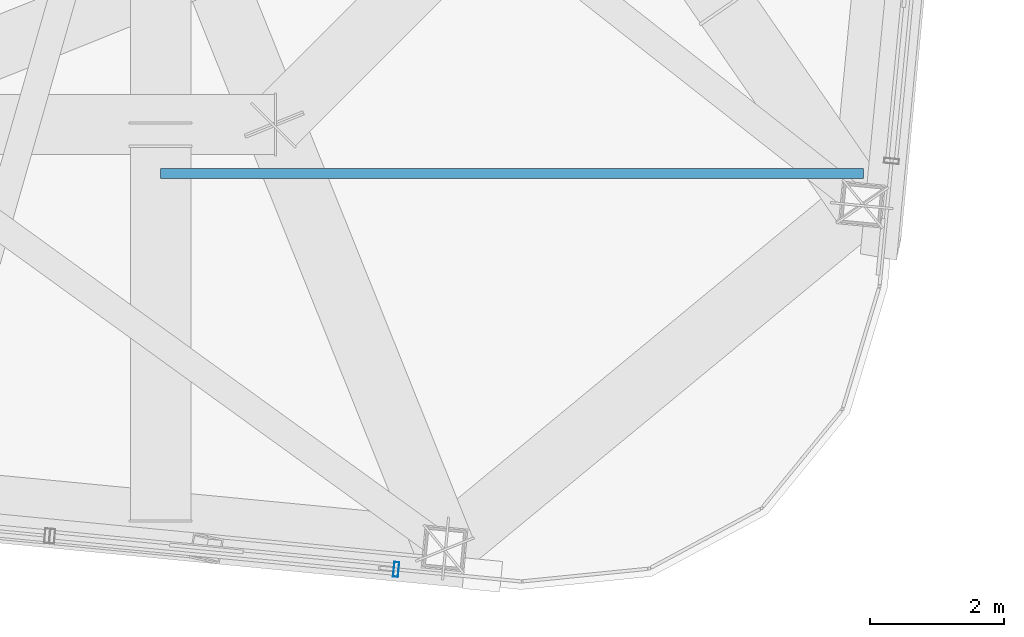
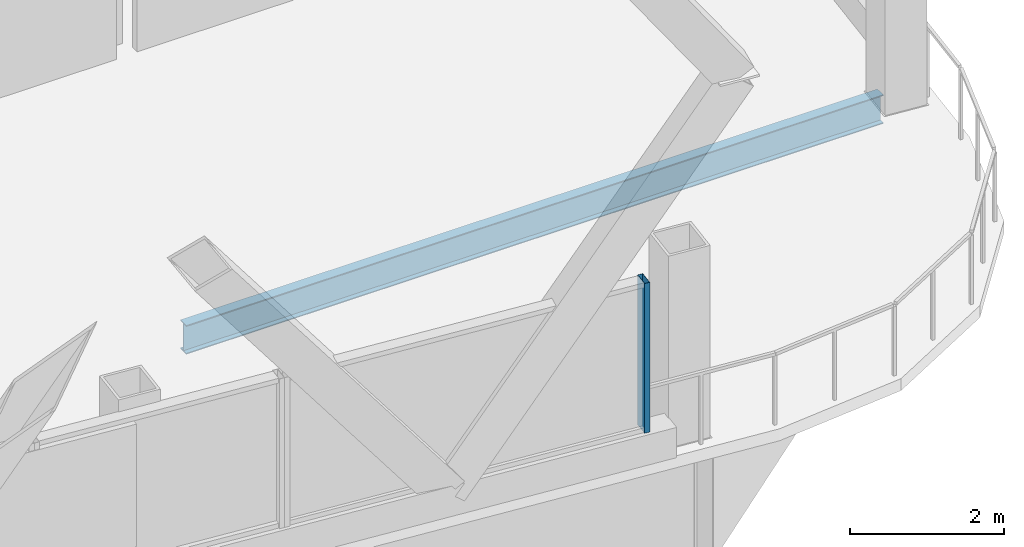
# One storey, part 10 of 31: 1 beam, 1 member, 1 element without a shape of its own.
"""IFC4 building model written with IfcOpenShell, lengths in metres."""

from ifc_helpers import new_model, si_unit, direction, frame, origin, origin_2d, place, context, subcontext, project, spatial, hollow_rectangle, i_section, extrude, material, layer, layer_set, material_profile, profile_set, type_object, element, aggregate, save


model = new_model("IFC4")

# Units and contexts
model_context = context("Model", 3, precision=1e-05, world=origin(), true_north=direction((0.0, 1.0)))
body_context = subcontext(model_context, "Body", "Model", "MODEL_VIEW")
ifc_project = project(units=[si_unit("LENGTHUNIT", "METRE"), si_unit("AREAUNIT", "SQUARE_METRE"), si_unit("VOLUMEUNIT", "CUBIC_METRE"), si_unit("PLANEANGLEUNIT", "RADIAN"), si_unit("MASSUNIT", "GRAM", prefix="KILO")], contexts=[model_context])

# Site, building, storey
site_placement = place(None, origin())
site = spatial("IfcSite", under=ifc_project, at=site_placement, CompositionType="ELEMENT")
building_placement = place(site_placement, origin())
building = spatial("IfcBuilding", under=site, at=building_placement, Name="Qhalaya Broadcast Tower", CompositionType="ELEMENT")
storey_placement = place(building_placement, frame((0.0, 0.0, 242.85009765625)))
storey = spatial("IfcBuildingStorey", under=building, at=storey_placement, Name="L71", CompositionType="ELEMENT", Elevation=242.85009765625)

# Beam
ifc_material_1 = material(Name="Structural Steel ASTM A992 Grade 50", Category="steel")
ifc_material_profile_1 = material_profile(ifc_material_1, i_section(OverallWidth=0.154052734375, OverallDepth=0.458984375, WebThickness=0.009033203125, FlangeThickness=0.015380859375, at=origin_2d()), Name="W18X46")
ifc_profile_set_1 = profile_set([ifc_material_profile_1], Name="Structural Steel ASTM A992 Grade 50")
beam_type = type_object("IfcBeamType", Name="Composite Floor Joist J04", PredefinedType="JOIST", material=ifc_profile_set_1)
beam_placement = place(storey_placement, frame((9.375, -16.5, -0.419677734375), z_axis=(1.0, 0.0, 0.0), x_axis=(0.0, 1.0, 0.0)))
element("IfcBeam", 1, at=beam_placement, inside=storey, type_object=beam_type, Name="L71 J04 L71-JWE1E-1", PredefinedType="JOIST", context=body_context, shape_type="SweptSolid", body=[
    extrude(i_section(OverallWidth=0.154052734375, OverallDepth=0.458984375, WebThickness=0.009033203125, FlangeThickness=0.015380859375, at=origin_2d()), origin(), (0.0, 0.0, 1.0), 10.47802734375),
])

# Curtain wall, member
ifc_material_2 = material(Name="Fired Architectural Terracotta", Category="masonry")
ifc_layer = layer(ifc_material_2, 0.219970703125, Name="Fired Architectural Terracotta")
ifc_layer_set = layer_set([ifc_layer], Name="Fired Architectural Terracotta")
curtain_wall_type = type_object("IfcCurtainWallType", Name="Block-Cap Unitised Terracotta Spandrel Wall CW-07", PredefinedType="NOTDEFINED", material=ifc_layer_set)
curtain_wall_placement = place(storey_placement, origin())
curtain_wall = element("IfcCurtainWall", 2, at=curtain_wall_placement, inside=storey, type_object=curtain_wall_type, Name="L71 Unitised Curtain Wall L71-CW-S5", PredefinedType="NOTDEFINED")
ifc_material_3 = material(Name="Anodised Aluminium 6063-T6", Category="aluminium")
ifc_material_profile_2 = material_profile(ifc_material_3, hollow_rectangle(XDim=0.074951171875, YDim=0.219970703125, WallThickness=0.00390625, at=origin_2d()), Name="ALU-MUL 75x220x4")
ifc_profile_set_2 = profile_set([ifc_material_profile_2], Name="Anodised Aluminium 6063-T6")
member_type = type_object("IfcMemberType", Name="Unitised Curtain-Wall Mullion M01", PredefinedType="MULLION", material=ifc_profile_set_2)
member_placement = place(storey_placement, frame((12.887451171875, -22.40283203125, 0.47998046875), z_axis=(0.0, 0.0, 1.0), x_axis=(0.995395942778, -0.095848406879, 0.0)))
member = element("IfcMember", 3, at=member_placement, type_object=member_type, Name="CW-07 mullion 2", PredefinedType="MULLION", context=body_context, shape_type="SweptSolid", body=[
    extrude(hollow_rectangle(XDim=0.074951171875, YDim=0.219970703125, WallThickness=0.00390625, at=origin_2d()), origin(), (0.0, 0.0, 1.0), 2.3798828125),
])
aggregate(curtain_wall, [member])

save(model, "model.ifc")
